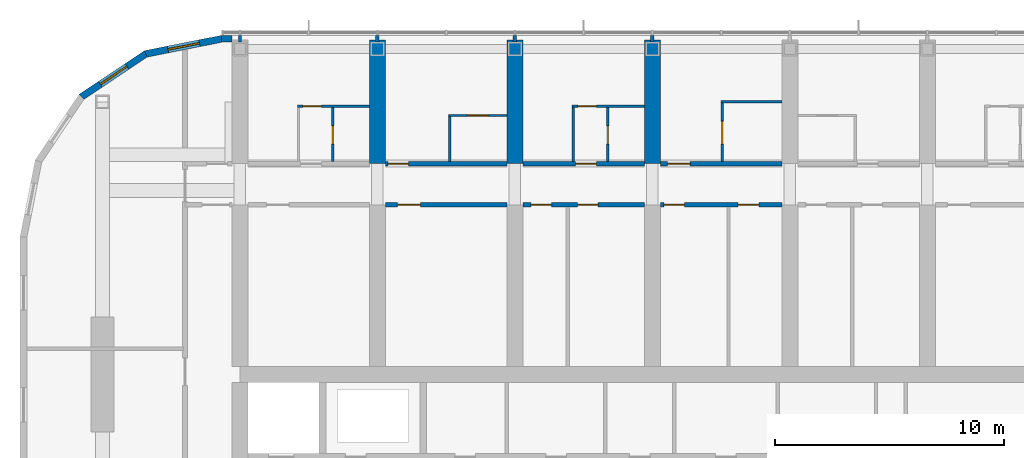
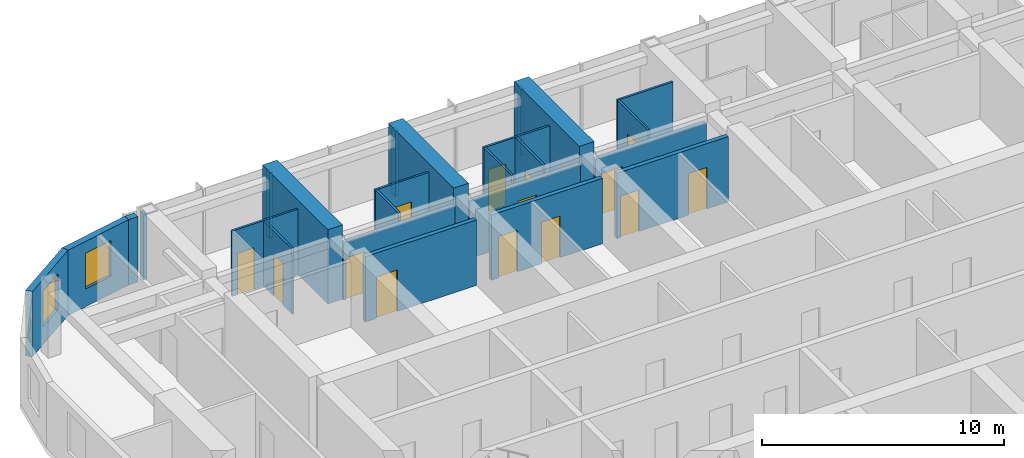
# One storey, part 16 of 23: 25 walls, 14 doors, 2 windows, 16 openings.
"""IFC4 building model written with IfcOpenShell, lengths in metres."""

from ifc_helpers import new_model, si_unit, direction, frame, frame_2d, origin, place, context, subcontext, project, spatial, polyline, rectangle, outline, extrude, material, layer, layer_set, type_object, element, fill, save


model = new_model("IFC4")

# Units and contexts
model_context = context("Model", 3, precision=1e-05, world=origin(), true_north=direction((0.0, 1.0)))
body_context = subcontext(model_context, "Body", "Model", "MODEL_VIEW")
ifc_project = project(units=[si_unit("LENGTHUNIT", "METRE"), si_unit("AREAUNIT", "SQUARE_METRE"), si_unit("VOLUMEUNIT", "CUBIC_METRE"), si_unit("PLANEANGLEUNIT", "RADIAN"), si_unit("MASSUNIT", "GRAM", prefix="KILO")], contexts=[model_context])

# Site, building, storey
site_placement = place(None, origin())
site = spatial("IfcSite", under=ifc_project, at=site_placement, CompositionType="ELEMENT")
building_placement = place(site_placement, origin())
building = spatial("IfcBuilding", under=site, at=building_placement, Name="Orbita Commons", CompositionType="ELEMENT")
storey_placement = place(building_placement, frame((0.0, 0.0, 227.800048828125)))
storey = spatial("IfcBuildingStorey", under=building, at=storey_placement, Name="L56", CompositionType="ELEMENT", Elevation=227.800048828125)

# Wall, opening, door
ifc_material_1 = material(Name="Concrete blockwork", Category="masonry")
ifc_layer_1 = layer(ifc_material_1, 0.199951171875)
ifc_layer_set_1 = layer_set([ifc_layer_1], Name="Concrete blockwork")
wall_type_1 = type_object("IfcWallType", Name="Corridor wall 200 blockwork", PredefinedType="SOLIDWALL", material=ifc_layer_set_1)
wall_1_placement = place(storey_placement, frame((24.35009765625, 47.39990234375, 0.0), z_axis=(0.0, 0.0, 1.0), x_axis=(1.0, 0.0, 0.0)))
wall_1 = element("IfcWall", 1, at=wall_1_placement, inside=storey, type_object=wall_type_1, Name="Corridor wall 200 blockwork L56", PredefinedType="SOLIDWALL", context=body_context, shape_type="SweptSolid", body=[
    extrude(outline(polyline([(0.0, 0.0), (5.2998046875, 0.0), (5.300048828125, 2.89990234375), (0.0, 2.89990234375), (0.0, 0.0)])), frame((0.0, 0.10009765625, 0.0), z_axis=(0.0, -1.0, 0.0), x_axis=(1.0, 0.0, 0.0)), (0.0, 0.0, 1.0), 0.199951171875),
])
opening_1_placement = place(wall_1_placement, frame((0.10009765625, 0.0, 0.0)))
opening_1 = element("IfcOpeningElement", 2, at=opening_1_placement, cuts=wall_1, Name="Opening D11", PredefinedType="OPENING", context=body_context, shape_type="SweptSolid", body=[
    extrude(rectangle(XDim=0.89990234375, YDim=2.10009765625, at=frame_2d((0.449951171875, 1.050048828125))), frame((0.0, 0.10986328125, 0.0), z_axis=(0.0, -1.0, 0.0), x_axis=(1.0, 0.0, 0.0)), (0.0, 0.0, 1.0), 0.219970703125),
])
ifc_material_2 = material(Name="Steel-faced fire door leaf", Category="steel")
door_type_1 = type_object("IfcDoorType", Name="Corridor door 20 min 900x2100", OperationType="SINGLE_SWING_LEFT", PredefinedType="DOOR", material=ifc_material_2)
door_1_placement = place(opening_1_placement, origin())
door_1 = element("IfcDoor", 3, at=door_1_placement, inside=storey, type_object=door_type_1, Name="Studio apartment with kitchenette L56-N02 door", OperationType="SINGLE_SWING_LEFT", OverallHeight=2.10009765625, OverallWidth=0.89990234375, PredefinedType="DOOR", context=body_context, shape_type="SweptSolid", body=[
    extrude(rectangle(XDim=0.89990234375, YDim=2.10009765625, at=frame_2d((0.449951171875, 1.050048828125))), frame((0.0, 0.02490234375, 0.0), z_axis=(0.0, -1.0, 0.0), x_axis=(1.0, 0.0, 0.0)), (0.0, 0.0, 1.0), 0.050048828125),
])
fill(opening_1, door_1)

wall_2_placement = place(storey_placement, frame((30.35009765625, 47.39990234375, 0.0), z_axis=(0.0, 0.0, 1.0), x_axis=(1.0, 0.0, 0.0)))
wall_2 = element("IfcWall", 4, at=wall_2_placement, inside=storey, type_object=wall_type_1, Name="Corridor wall 200 blockwork L56", PredefinedType="SOLIDWALL", context=body_context, shape_type="SweptSolid", body=[
    extrude(outline(polyline([(0.0, 0.0), (5.2998046875, 0.0), (5.300048828125, 2.89990234375), (0.0, 2.89990234375), (0.0, 0.0)])), frame((0.0, 0.10009765625, 0.0), z_axis=(0.0, -1.0, 0.0), x_axis=(1.0, 0.0, 0.0)), (0.0, 0.0, 1.0), 0.199951171875),
])
opening_2_placement = place(wall_2_placement, frame((2.300048828125, 0.0, 0.0)))
opening_2 = element("IfcOpeningElement", 5, at=opening_2_placement, cuts=wall_2, Name="Opening D11", PredefinedType="OPENING", context=body_context, shape_type="SweptSolid", body=[
    extrude(rectangle(XDim=0.89990234375, YDim=2.10009765625, at=frame_2d((0.449951171875, 1.050048828125))), frame((0.0, 0.10986328125, 0.0), z_axis=(0.0, -1.0, 0.0), x_axis=(1.0, 0.0, 0.0)), (0.0, 0.0, 1.0), 0.219970703125),
])
door_2_placement = place(opening_2_placement, origin())
door_2 = element("IfcDoor", 6, at=door_2_placement, inside=storey, type_object=door_type_1, Name="Studio flat L56-N04 entrance door", OperationType="SINGLE_SWING_LEFT", OverallHeight=2.10009765625, OverallWidth=0.89990234375, PredefinedType="DOOR", context=body_context, shape_type="SweptSolid", body=[
    extrude(rectangle(XDim=0.89990234375, YDim=2.10009765625, at=frame_2d((0.449951171875, 1.050048828125))), frame((0.0, 0.02490234375, 0.0), z_axis=(0.0, -1.0, 0.0), x_axis=(1.0, 0.0, 0.0)), (0.0, 0.0, 1.0), 0.050048828125),
])
fill(opening_2, door_2)

wall_3_placement = place(storey_placement, frame((36.35009765625, 47.39990234375, 0.0), z_axis=(0.0, 0.0, 1.0), x_axis=(1.0, 0.0, 0.0)))
wall_3 = element("IfcWall", 7, at=wall_3_placement, inside=storey, type_object=wall_type_1, Name="Corridor wall 200 blockwork L56", PredefinedType="SOLIDWALL", context=body_context, shape_type="SweptSolid", body=[
    extrude(outline(polyline([(0.0, 0.0), (5.2998046875, 0.0), (5.300048828125, 2.89990234375), (0.0, 2.89990234375), (0.0, 0.0)])), frame((0.0, 0.10009765625, 0.0), z_axis=(0.0, -1.0, 0.0), x_axis=(1.0, 0.0, 0.0)), (0.0, 0.0, 1.0), 0.199951171875),
])
opening_3_placement = place(wall_3_placement, frame((0.300048828125, 0.0, 0.0)))
opening_3 = element("IfcOpeningElement", 8, at=opening_3_placement, cuts=wall_3, Name="Opening D06", PredefinedType="OPENING", context=body_context, shape_type="SweptSolid", body=[
    extrude(rectangle(XDim=1.0, YDim=2.10009765625, at=frame_2d((0.5, 1.050048828125))), frame((0.0, 0.10986328125, 0.0), z_axis=(0.0, -1.0, 0.0), x_axis=(1.0, 0.0, 0.0)), (0.0, 0.0, 1.0), 0.219970703125),
])
ifc_material_3 = material(Name="Steel-faced fire door leaf", Category="steel")
door_type_2 = type_object("IfcDoorType", Name="Corridor door 20 min 1000x2100", OperationType="SINGLE_SWING_LEFT", PredefinedType="DOOR", material=ifc_material_3)
door_3_placement = place(opening_3_placement, origin())
door_3 = element("IfcDoor", 9, at=door_3_placement, inside=storey, type_object=door_type_2, Name="Accessible bedroom L56-N06 door", OperationType="SINGLE_SWING_LEFT", OverallHeight=2.10009765625, OverallWidth=1.0, PredefinedType="DOOR", context=body_context, shape_type="SweptSolid", body=[
    extrude(rectangle(XDim=1.0, YDim=2.10009765625, at=frame_2d((0.5, 1.050048828125))), frame((0.0, 0.02490234375, 0.0), z_axis=(0.0, -1.0, 0.0), x_axis=(1.0, 0.0, 0.0)), (0.0, 0.0, 1.0), 0.050048828125),
])
fill(opening_3, door_3)

ifc_material_4 = material(Name="Hollow concrete block 200", Category="concrete")
ifc_layer_2 = layer(ifc_material_4, 0.199951171875)
ifc_layer_set_2 = layer_set([ifc_layer_2], Name="Hollow concrete block 200")
wall_type_2 = type_object("IfcWallType", Name="Corridor wall 200 hollow concrete block", PredefinedType="SOLIDWALL", material=ifc_layer_set_2)
wall_4_placement = place(storey_placement, frame((24.35009765625, 45.60009765625, 0.0), z_axis=(0.0, 0.0, 1.0), x_axis=(1.0, 0.0, 0.0)))
wall_4 = element("IfcWall", 10, at=wall_4_placement, inside=storey, type_object=wall_type_2, Name="Corridor wall 200 hollow concrete block L56", PredefinedType="SOLIDWALL", context=body_context, shape_type="SweptSolid", body=[
    extrude(rectangle(XDim=5.2998046875, YDim=0.199951171875, at=frame_2d((2.64990234375, 0.0))), origin(), (0.0, 0.0, 1.0), 3.300048828125),
])
opening_4_placement = place(wall_4_placement, frame((0.52490234375, 0.0, 0.0)))
opening_4 = element("IfcOpeningElement", 11, at=opening_4_placement, cuts=wall_4, Name="Opening D06", PredefinedType="OPENING", context=body_context, shape_type="SweptSolid", body=[
    extrude(rectangle(XDim=1.0, YDim=2.10009765625, at=frame_2d((0.5, 1.050048828125))), frame((0.0, 0.10986328125, 0.0), z_axis=(0.0, -1.0, 0.0), x_axis=(1.0, 0.0, 0.0)), (0.0, 0.0, 1.0), 0.219970703125),
])
door_4_placement = place(opening_4_placement, origin())
door_4 = element("IfcDoor", 12, at=door_4_placement, inside=storey, type_object=door_type_2, Name="Storage lockers L56-BDN24 door", OperationType="SINGLE_SWING_LEFT", OverallHeight=2.10009765625, OverallWidth=1.0, PredefinedType="DOOR", context=body_context, shape_type="SweptSolid", body=[
    extrude(rectangle(XDim=1.0, YDim=2.10009765625, at=frame_2d((0.5, 1.050048828125))), frame((0.0, 0.02490234375, 0.0), z_axis=(0.0, -1.0, 0.0), x_axis=(1.0, 0.0, 0.0)), (0.0, 0.0, 1.0), 0.050048828125),
])
fill(opening_4, door_4)

# Wall, openings, doors
wall_5_placement = place(storey_placement, frame((30.35009765625, 45.60009765625, 0.0), z_axis=(0.0, 0.0, 1.0), x_axis=(1.0, 0.0, 0.0)))
wall_5 = element("IfcWall", 13, at=wall_5_placement, inside=storey, type_object=wall_type_2, Name="Corridor wall 200 hollow concrete block L56", PredefinedType="SOLIDWALL", context=body_context, shape_type="SweptSolid", body=[
    extrude(rectangle(XDim=5.2998046875, YDim=0.199951171875, at=frame_2d((2.64990234375, 0.0))), origin(), (0.0, 0.0, 1.0), 3.300048828125),
])
opening_5_placement = place(wall_5_placement, frame((0.35009765625, 0.0, 0.0)))
opening_5 = element("IfcOpeningElement", 14, at=opening_5_placement, cuts=wall_5, Name="Opening D11", PredefinedType="OPENING", context=body_context, shape_type="SweptSolid", body=[
    extrude(rectangle(XDim=0.89990234375, YDim=2.10009765625, at=frame_2d((0.449951171875, 1.050048828125))), frame((0.0, 0.10986328125, 0.0), z_axis=(0.0, -1.0, 0.0), x_axis=(1.0, 0.0, 0.0)), (0.0, 0.0, 1.0), 0.219970703125),
])
opening_6_placement = place(wall_5_placement, frame((2.385009765625, 0.0, 0.0)))
opening_6 = element("IfcOpeningElement", 15, at=opening_6_placement, cuts=wall_5, Name="Opening D11", PredefinedType="OPENING", context=body_context, shape_type="SweptSolid", body=[
    extrude(rectangle(XDim=0.89990234375, YDim=2.10009765625, at=frame_2d((0.449951171875, 1.050048828125))), frame((0.0, 0.10986328125, 0.0), z_axis=(0.0, -1.0, 0.0), x_axis=(1.0, 0.0, 0.0)), (0.0, 0.0, 1.0), 0.219970703125),
])
door_5_placement = place(opening_5_placement, origin())
door_5 = element("IfcDoor", 16, at=door_5_placement, inside=storey, type_object=door_type_1, Name="Luggage store L56-BDN30n door", OperationType="SINGLE_SWING_LEFT", OverallHeight=2.10009765625, OverallWidth=0.89990234375, PredefinedType="DOOR", context=body_context, shape_type="SweptSolid", body=[
    extrude(rectangle(XDim=0.89990234375, YDim=2.10009765625, at=frame_2d((0.449951171875, 1.050048828125))), frame((0.0, 0.02490234375, 0.0), z_axis=(0.0, -1.0, 0.0), x_axis=(1.0, 0.0, 0.0)), (0.0, 0.0, 1.0), 0.050048828125),
])
fill(opening_5, door_5)
door_6_placement = place(opening_6_placement, origin())
door_6 = element("IfcDoor", 17, at=door_6_placement, inside=storey, type_object=door_type_1, Name="Refuse and recycling room L56-BDN30 door", OperationType="SINGLE_SWING_LEFT", OverallHeight=2.10009765625, OverallWidth=0.89990234375, PredefinedType="DOOR", context=body_context, shape_type="SweptSolid", body=[
    extrude(rectangle(XDim=0.89990234375, YDim=2.10009765625, at=frame_2d((0.449951171875, 1.050048828125))), frame((0.0, 0.02490234375, 0.0), z_axis=(0.0, -1.0, 0.0), x_axis=(1.0, 0.0, 0.0)), (0.0, 0.0, 1.0), 0.050048828125),
])
fill(opening_6, door_6)

wall_6_placement = place(storey_placement, frame((36.35009765625, 45.60009765625, 0.0), z_axis=(0.0, 0.0, 1.0), x_axis=(1.0, 0.0, 0.0)))
wall_6 = element("IfcWall", 18, at=wall_6_placement, inside=storey, type_object=wall_type_2, Name="Corridor wall 200 hollow concrete block L56", PredefinedType="SOLIDWALL", context=body_context, shape_type="SweptSolid", body=[
    extrude(rectangle(XDim=5.2998046875, YDim=0.199951171875, at=frame_2d((2.64990234375, 0.0))), origin(), (0.0, 0.0, 1.0), 3.300048828125),
])
opening_7_placement = place(wall_6_placement, frame((0.14990234375, 0.0, 0.0)))
opening_7 = element("IfcOpeningElement", 19, at=opening_7_placement, cuts=wall_6, Name="Opening D11", PredefinedType="OPENING", context=body_context, shape_type="SweptSolid", body=[
    extrude(rectangle(XDim=0.89990234375, YDim=2.10009765625, at=frame_2d((0.449951171875, 1.050048828125))), frame((0.0, 0.10986328125, 0.0), z_axis=(0.0, -1.0, 0.0), x_axis=(1.0, 0.0, 0.0)), (0.0, 0.0, 1.0), 0.219970703125),
])
opening_8_placement = place(wall_6_placement, frame((3.39501953125, 0.0, 0.0)))
opening_8 = element("IfcOpeningElement", 20, at=opening_8_placement, cuts=wall_6, Name="Opening D11", PredefinedType="OPENING", context=body_context, shape_type="SweptSolid", body=[
    extrude(rectangle(XDim=0.89990234375, YDim=2.10009765625, at=frame_2d((0.449951171875, 1.050048828125))), frame((0.0, 0.10986328125, 0.0), z_axis=(0.0, -1.0, 0.0), x_axis=(1.0, 0.0, 0.0)), (0.0, 0.0, 1.0), 0.219970703125),
])
door_7_placement = place(opening_7_placement, origin())
door_7 = element("IfcDoor", 21, at=door_7_placement, inside=storey, type_object=door_type_1, Name="Bulk storage room L56-BDN36 door", OperationType="SINGLE_SWING_LEFT", OverallHeight=2.10009765625, OverallWidth=0.89990234375, PredefinedType="DOOR", context=body_context, shape_type="SweptSolid", body=[
    extrude(rectangle(XDim=0.89990234375, YDim=2.10009765625, at=frame_2d((0.449951171875, 1.050048828125))), frame((0.0, 0.02490234375, 0.0), z_axis=(0.0, -1.0, 0.0), x_axis=(1.0, 0.0, 0.0)), (0.0, 0.0, 1.0), 0.050048828125),
])
fill(opening_7, door_7)
door_8_placement = place(opening_8_placement, origin())
door_8 = element("IfcDoor", 22, at=door_8_placement, inside=storey, type_object=door_type_1, Name="Battery and UPS room L56-BDN36n door", OperationType="SINGLE_SWING_LEFT", OverallHeight=2.10009765625, OverallWidth=0.89990234375, PredefinedType="DOOR", context=body_context, shape_type="SweptSolid", body=[
    extrude(rectangle(XDim=0.89990234375, YDim=2.10009765625, at=frame_2d((0.449951171875, 1.050048828125))), frame((0.0, 0.02490234375, 0.0), z_axis=(0.0, -1.0, 0.0), x_axis=(1.0, 0.0, 0.0)), (0.0, 0.0, 1.0), 0.050048828125),
])
fill(opening_8, door_8)

# Walls
ifc_material_5 = material(Name="Concrete C50/60", Category="concrete")
ifc_layer_3 = layer(ifc_material_5, 0.699951171875)
ifc_layer_set_3 = layer_set([ifc_layer_3], Name="Concrete C50/60")
wall_type_3 = type_object("IfcWallType", Name="Cross wall 700 C50/60", PredefinedType="SHEAR", material=ifc_layer_set_3)
for number, where, z_axis, x_axis, name in (
    (23, (24.0, 47.39990234375, 0.0), (0.0, 0.0, 1.0), (0.0, 1.0, 0.0), "Cross wall 5 north outer L56"),
    (24, (30.0, 47.39990234375, 0.0), (0.0, 0.0, 1.0), (0.0, 1.0, 0.0), "Cross wall 6 north outer L56"),
    (25, (36.0, 47.39990234375, 0.0), (0.0, 0.0, 1.0), (0.0, 1.0, 0.0), "Cross wall 7 north outer L56"),
):
    element("IfcWall", number, at=place(storey_placement, frame(where, z_axis=z_axis, x_axis=x_axis)), inside=storey, type_object=wall_type_3, Name=name, PredefinedType="SHEAR", context=body_context, shape_type="SweptSolid", body=[
        extrude(rectangle(XDim=5.400146484375, YDim=0.699951171875, at=frame_2d((2.7001953125, 0.0))), origin(), (0.0, 0.0, 1.0), 3.75),
    ])

# Wall, opening, door
ifc_material_6 = material(Name="Moisture-resistant plasterboard on steel studs", Category="steel")
ifc_layer_4 = layer(ifc_material_6, 0.10009765625)
ifc_layer_set_4 = layer_set([ifc_layer_4], Name="Moisture-resistant plasterboard on steel studs")
wall_type_4 = type_object("IfcWallType", Name="En-suite partition 100", PredefinedType="PARTITIONING", material=ifc_layer_set_4)
wall_7_placement = place(storey_placement, frame((20.5, 49.89990234375, 0.0), z_axis=(0.0, 0.0, 1.0), x_axis=(1.0, 0.0, 0.0)))
wall_7 = element("IfcWall", 26, at=wall_7_placement, inside=storey, type_object=wall_type_4, Name="En-suite partition 100 L56", PredefinedType="PARTITIONING", context=body_context, shape_type="SweptSolid", body=[
    extrude(rectangle(XDim=3.14990234375, YDim=0.10009765625, at=frame_2d((1.574951171875, 0.0))), origin(), (0.0, 0.0, 1.0), 3.300048828125),
])
opening_9_placement = place(wall_7_placement, frame((0.25, 0.0, 0.0)))
opening_9 = element("IfcOpeningElement", 27, at=opening_9_placement, cuts=wall_7, Name="Opening D16", PredefinedType="OPENING", context=body_context, shape_type="SweptSolid", body=[
    extrude(rectangle(XDim=0.800048828125, YDim=2.10009765625, at=frame_2d((0.39990234375, 1.050048828125))), frame((0.0, 0.06005859375, 0.0), z_axis=(0.0, -1.0, 0.0), x_axis=(1.0, 0.0, 0.0)), (0.0, 0.0, 1.0), 0.1201171875),
])
ifc_material_7 = material(Name="Laminated timber door leaf", Category="wood")
door_type_3 = type_object("IfcDoorType", Name="En-suite door 800x2100", OperationType="SINGLE_SWING_RIGHT", PredefinedType="DOOR", material=ifc_material_7)
door_9_placement = place(opening_9_placement, origin())
door_9 = element("IfcDoor", 28, at=door_9_placement, inside=storey, type_object=door_type_3, Name="Studio flat L56-N00 door", OperationType="SINGLE_SWING_RIGHT", OverallHeight=2.10009765625, OverallWidth=0.800048828125, PredefinedType="DOOR", context=body_context, shape_type="SweptSolid", body=[
    extrude(rectangle(XDim=0.800048828125, YDim=2.10009765625, at=frame_2d((0.39990234375, 1.050048828125))), frame((0.0, 0.02490234375, 0.0), z_axis=(0.0, -1.0, 0.0), x_axis=(1.0, 0.0, 0.0)), (0.0, 0.0, 1.0), 0.050048828125),
])
fill(opening_9, door_9)

wall_8_placement = place(storey_placement, frame((22.050048828125, 49.85009765625, 0.0), z_axis=(0.0, 0.0, 1.0), x_axis=(0.0, -1.0, 0.0)))
wall_8 = element("IfcWall", 29, at=wall_8_placement, inside=storey, type_object=wall_type_4, Name="En-suite partition 100 L56", PredefinedType="PARTITIONING", context=body_context, shape_type="SweptSolid", body=[
    extrude(outline(polyline([(0.0, 0.0), (2.35009765625, 0.0), (2.35009765625, 2.89990234375), (2.302001953125, 2.89990234375), (2.300048828125, 3.300048828125), (0.0, 3.300048828125), (0.0, 0.0)])), frame((0.0, 0.050048828125, 0.0), z_axis=(0.0, -1.0, 0.0), x_axis=(1.0, 0.0, 0.0)), (0.0, 0.0, 1.0), 0.10009765625),
])
opening_10_placement = place(wall_8_placement, frame((0.800048828125, 0.0, 0.0)))
opening_10 = element("IfcOpeningElement", 30, at=opening_10_placement, cuts=wall_8, Name="Opening D16", PredefinedType="OPENING", context=body_context, shape_type="SweptSolid", body=[
    extrude(rectangle(XDim=0.800048828125, YDim=2.10009765625, at=frame_2d((0.39990234375, 1.050048828125))), frame((0.0, 0.06005859375, 0.0), z_axis=(0.0, -1.0, 0.0), x_axis=(1.0, 0.0, 0.0)), (0.0, 0.0, 1.0), 0.1201171875),
])
door_10_placement = place(opening_10_placement, origin())
door_10 = element("IfcDoor", 31, at=door_10_placement, inside=storey, type_object=door_type_3, Name="Studio flat shower room L56-N00 door", OperationType="SINGLE_SWING_RIGHT", OverallHeight=2.10009765625, OverallWidth=0.800048828125, PredefinedType="DOOR", context=body_context, shape_type="SweptSolid", body=[
    extrude(rectangle(XDim=0.800048828125, YDim=2.10009765625, at=frame_2d((0.39990234375, 1.050048828125))), frame((0.0, 0.02490234375, 0.0), z_axis=(0.0, -1.0, 0.0), x_axis=(1.0, 0.0, 0.0)), (0.0, 0.0, 1.0), 0.050048828125),
])
fill(opening_10, door_10)

wall_9_placement = place(storey_placement, frame((27.10009765625, 49.5, 0.0), z_axis=(0.0, 0.0, 1.0), x_axis=(1.0, 0.0, 0.0)))
wall_9 = element("IfcWall", 32, at=wall_9_placement, inside=storey, type_object=wall_type_4, Name="En-suite partition 100 L56", PredefinedType="PARTITIONING", context=body_context, shape_type="SweptSolid", body=[
    extrude(rectangle(XDim=2.5498046875, YDim=0.10009765625, at=frame_2d((1.27490234375, 0.0))), origin(), (0.0, 0.0, 1.0), 3.300048828125),
])
opening_11_placement = place(wall_9_placement, frame((0.824951171875, 0.0, 0.0)))
opening_11 = element("IfcOpeningElement", 33, at=opening_11_placement, cuts=wall_9, Name="Opening D09", PredefinedType="OPENING", context=body_context, shape_type="SweptSolid", body=[
    extrude(rectangle(XDim=0.89990234375, YDim=2.10009765625, at=frame_2d((0.449951171875, 1.050048828125))), frame((0.0, 0.06005859375, 0.0), z_axis=(0.0, -1.0, 0.0), x_axis=(1.0, 0.0, 0.0)), (0.0, 0.0, 1.0), 0.1201171875),
])
ifc_material_8 = material(Name="Laminated timber door leaf", Category="wood")
door_type_4 = type_object("IfcDoorType", Name="En-suite door 900x2100", OperationType="SINGLE_SWING_RIGHT", PredefinedType="DOOR", material=ifc_material_8)
door_11_placement = place(opening_11_placement, origin())
door_11 = element("IfcDoor", 34, at=door_11_placement, inside=storey, type_object=door_type_4, Name="En-suite L56-N02 door", OperationType="SINGLE_SWING_RIGHT", OverallHeight=2.10009765625, OverallWidth=0.89990234375, PredefinedType="DOOR", context=body_context, shape_type="SweptSolid", body=[
    extrude(rectangle(XDim=0.89990234375, YDim=2.10009765625, at=frame_2d((0.449951171875, 1.050048828125))), frame((0.0, 0.02490234375, 0.0), z_axis=(0.0, -1.0, 0.0), x_axis=(1.0, 0.0, 0.0)), (0.0, 0.0, 1.0), 0.050048828125),
])
fill(opening_11, door_11)

# Wall
wall_10_placement = place(storey_placement, frame((27.14990234375, 49.449951171875, 0.0), z_axis=(0.0, 0.0, 1.0), x_axis=(0.0, -1.0, 0.0)))
element("IfcWall", 35, at=wall_10_placement, inside=storey, type_object=wall_type_4, Name="En-suite partition 100 L56", PredefinedType="PARTITIONING", context=body_context, shape_type="SweptSolid", body=[
    extrude(outline(polyline([(0.0, 0.0), (1.949951171875, 0.0), (1.949951171875, 2.89990234375), (1.902099609375, 2.89990234375), (1.89990234375, 3.300048828125), (0.0, 3.300048828125), (0.0, 0.0)])), frame((0.0, 0.050048828125, 0.0), z_axis=(0.0, -1.0, 0.0), x_axis=(1.0, 0.0, 0.0)), (0.0, 0.0, 1.0), 0.10009765625),
])

# Wall, opening, door
wall_11_placement = place(storey_placement, frame((32.5, 49.89990234375, 0.0), z_axis=(0.0, 0.0, 1.0), x_axis=(1.0, 0.0, 0.0)))
wall_11 = element("IfcWall", 36, at=wall_11_placement, inside=storey, type_object=wall_type_4, Name="En-suite partition 100 L56", PredefinedType="PARTITIONING", context=body_context, shape_type="SweptSolid", body=[
    extrude(rectangle(XDim=3.14990234375, YDim=0.10009765625, at=frame_2d((1.574951171875, 0.0))), origin(), (0.0, 0.0, 1.0), 3.300048828125),
])
opening_12_placement = place(wall_11_placement, frame((0.25, 0.0, 0.0)))
opening_12 = element("IfcOpeningElement", 37, at=opening_12_placement, cuts=wall_11, Name="Opening D16", PredefinedType="OPENING", context=body_context, shape_type="SweptSolid", body=[
    extrude(rectangle(XDim=0.800048828125, YDim=2.10009765625, at=frame_2d((0.39990234375, 1.050048828125))), frame((0.0, 0.06005859375, 0.0), z_axis=(0.0, -1.0, 0.0), x_axis=(1.0, 0.0, 0.0)), (0.0, 0.0, 1.0), 0.1201171875),
])
door_12_placement = place(opening_12_placement, origin())
door_12 = element("IfcDoor", 38, at=door_12_placement, inside=storey, type_object=door_type_3, Name="Studio flat L56-N04 door", OperationType="SINGLE_SWING_RIGHT", OverallHeight=2.10009765625, OverallWidth=0.800048828125, PredefinedType="DOOR", context=body_context, shape_type="SweptSolid", body=[
    extrude(rectangle(XDim=0.800048828125, YDim=2.10009765625, at=frame_2d((0.39990234375, 1.050048828125))), frame((0.0, 0.02490234375, 0.0), z_axis=(0.0, -1.0, 0.0), x_axis=(1.0, 0.0, 0.0)), (0.0, 0.0, 1.0), 0.050048828125),
])
fill(opening_12, door_12)

# Wall
wall_12_placement = place(storey_placement, frame((32.550048828125, 49.85009765625, 0.0), z_axis=(0.0, 0.0, 1.0), x_axis=(0.0, -1.0, 0.0)))
element("IfcWall", 39, at=wall_12_placement, inside=storey, type_object=wall_type_4, Name="En-suite partition 100 L56", PredefinedType="PARTITIONING", context=body_context, shape_type="SweptSolid", body=[
    extrude(outline(polyline([(0.0, 0.0), (2.35009765625, 0.0), (2.35009765625, 2.89990234375), (2.302001953125, 2.89990234375), (2.300048828125, 3.300048828125), (0.0, 3.300048828125), (0.0, 0.0)])), frame((0.0, 0.050048828125, 0.0), z_axis=(0.0, -1.0, 0.0), x_axis=(1.0, 0.0, 0.0)), (0.0, 0.0, 1.0), 0.10009765625),
])

# Wall, opening, door
wall_13_placement = place(storey_placement, frame((34.050048828125, 49.85009765625, 0.0), z_axis=(0.0, 0.0, 1.0), x_axis=(0.0, -1.0, 0.0)))
wall_13 = element("IfcWall", 40, at=wall_13_placement, inside=storey, type_object=wall_type_4, Name="En-suite partition 100 L56", PredefinedType="PARTITIONING", context=body_context, shape_type="SweptSolid", body=[
    extrude(outline(polyline([(0.0, 0.0), (2.35009765625, 0.0), (2.35009765625, 2.89990234375), (2.302001953125, 2.89990234375), (2.300048828125, 3.300048828125), (0.0, 3.300048828125), (0.0, 0.0)])), frame((0.0, 0.050048828125, 0.0), z_axis=(0.0, -1.0, 0.0), x_axis=(1.0, 0.0, 0.0)), (0.0, 0.0, 1.0), 0.10009765625),
])
opening_13_placement = place(wall_13_placement, frame((0.800048828125, 0.0, 0.0)))
opening_13 = element("IfcOpeningElement", 41, at=opening_13_placement, cuts=wall_13, Name="Opening D16", PredefinedType="OPENING", context=body_context, shape_type="SweptSolid", body=[
    extrude(rectangle(XDim=0.800048828125, YDim=2.10009765625, at=frame_2d((0.39990234375, 1.050048828125))), frame((0.0, 0.06005859375, 0.0), z_axis=(0.0, -1.0, 0.0), x_axis=(1.0, 0.0, 0.0)), (0.0, 0.0, 1.0), 0.1201171875),
])
door_13_placement = place(opening_13_placement, origin())
door_13 = element("IfcDoor", 42, at=door_13_placement, inside=storey, type_object=door_type_3, Name="Studio flat shower room L56-N04 door", OperationType="SINGLE_SWING_RIGHT", OverallHeight=2.10009765625, OverallWidth=0.800048828125, PredefinedType="DOOR", context=body_context, shape_type="SweptSolid", body=[
    extrude(rectangle(XDim=0.800048828125, YDim=2.10009765625, at=frame_2d((0.39990234375, 1.050048828125))), frame((0.0, 0.02490234375, 0.0), z_axis=(0.0, -1.0, 0.0), x_axis=(1.0, 0.0, 0.0)), (0.0, 0.0, 1.0), 0.050048828125),
])
fill(opening_13, door_13)

# Wall
wall_14_placement = place(storey_placement, frame((39.0, 50.10009765625, 0.0), z_axis=(0.0, 0.0, 1.0), x_axis=(1.0, 0.0, 0.0)))
element("IfcWall", 43, at=wall_14_placement, inside=storey, type_object=wall_type_4, Name="En-suite partition 100 L56", PredefinedType="PARTITIONING", context=body_context, shape_type="SweptSolid", body=[
    extrude(rectangle(XDim=2.64990234375, YDim=0.10009765625, at=frame_2d((1.324951171875, 0.0))), origin(), (0.0, 0.0, 1.0), 3.300048828125),
])

# Wall, opening, door
wall_15_placement = place(storey_placement, frame((39.050048828125, 50.050048828125, 0.0), z_axis=(0.0, 0.0, 1.0), x_axis=(0.0, -1.0, 0.0)))
wall_15 = element("IfcWall", 44, at=wall_15_placement, inside=storey, type_object=wall_type_4, Name="En-suite partition 100 L56", PredefinedType="PARTITIONING", context=body_context, shape_type="SweptSolid", body=[
    extrude(outline(polyline([(0.0, 0.0), (2.550048828125, 0.0), (2.550048828125, 2.89990234375), (2.501953125, 2.89990234375), (2.5, 3.300048828125), (0.0, 3.300048828125), (0.0, 0.0)])), frame((0.0, 0.050048828125, 0.0), z_axis=(0.0, -1.0, 0.0), x_axis=(1.0, 0.0, 0.0)), (0.0, 0.0, 1.0), 0.10009765625),
])
opening_14_placement = place(wall_15_placement, frame((0.800048828125, 0.0, 0.0)))
opening_14 = element("IfcOpeningElement", 45, at=opening_14_placement, cuts=wall_15, Name="Opening D13", PredefinedType="OPENING", context=body_context, shape_type="SweptSolid", body=[
    extrude(rectangle(XDim=1.0, YDim=2.10009765625, at=frame_2d((0.5, 1.050048828125))), frame((0.0, 0.06005859375, 0.0), z_axis=(0.0, -1.0, 0.0), x_axis=(1.0, 0.0, 0.0)), (0.0, 0.0, 1.0), 0.1201171875),
])
ifc_material_9 = material(Name="Laminated timber door leaf", Category="wood")
door_type_5 = type_object("IfcDoorType", Name="En-suite door 1000x2100", OperationType="SINGLE_SWING_RIGHT", PredefinedType="DOOR", material=ifc_material_9)
door_14_placement = place(opening_14_placement, origin())
door_14 = element("IfcDoor", 46, at=door_14_placement, inside=storey, type_object=door_type_5, Name="Accessible shower room L56-N06 door", OperationType="SINGLE_SWING_RIGHT", OverallHeight=2.10009765625, OverallWidth=1.0, PredefinedType="DOOR", context=body_context, shape_type="SweptSolid", body=[
    extrude(rectangle(XDim=1.0, YDim=2.10009765625, at=frame_2d((0.5, 1.050048828125))), frame((0.0, 0.02490234375, 0.0), z_axis=(0.0, -1.0, 0.0), x_axis=(1.0, 0.0, 0.0)), (0.0, 0.0, 1.0), 0.050048828125),
])
fill(opening_14, door_14)

# Walls
ifc_material_10 = material(Name="Gypsum plasterboard on steel studs", Category="steel")
ifc_layer_5 = layer(ifc_material_10, 0.14990234375)
ifc_layer_set_5 = layer_set([ifc_layer_5], Name="Gypsum plasterboard on steel studs")
wall_type_5 = type_object("IfcWallType", Name="Partition 150 plasterboard", PredefinedType="PARTITIONING", material=ifc_layer_set_5)
for number, where, z_axis, x_axis, name in (
    (47, (18.0, 52.699951171875, 0.0), (0.0, 0.0, 1.0), (0.0, 1.0, 0.0), "Partition 150 plasterboard L56"),
    (48, (24.0, 52.699951171875, 0.0), (0.0, 0.0, 1.0), (0.0, 1.0, 0.0), "Partition 150 plasterboard L56"),
    (49, (30.0, 52.699951171875, 0.0), (0.0, 0.0, 1.0), (0.0, 1.0, 0.0), "Partition 150 plasterboard L56"),
    (50, (36.0, 52.699951171875, 0.0), (0.0, 0.0, 1.0), (0.0, 1.0, 0.0), "Partition 150 plasterboard L56"),
):
    element("IfcWall", number, at=place(storey_placement, frame(where, z_axis=z_axis, x_axis=x_axis)), inside=storey, type_object=wall_type_5, Name=name, PredefinedType="PARTITIONING", context=body_context, shape_type="SweptSolid", body=[
        extrude(rectangle(XDim=0.2900390625, YDim=0.14990234375, at=frame_2d((0.14501953125, 0.0))), origin(), (0.0, 0.0, 1.0), 3.300048828125),
    ])

# Wall, opening, window
ifc_material_11 = material(Name="Precast concrete C40/50, white board-marked finish", Category="concrete")
ifc_layer_6 = layer(ifc_material_11, 0.300048828125)
ifc_layer_set_6 = layer_set([ifc_layer_6], Name="Precast concrete C40/50, white board-marked finish")
wall_type_6 = type_object("IfcWallType", Name="Precast concrete end shield 300", PredefinedType="SOLIDWALL", material=ifc_layer_set_6)
wall_16_placement = place(storey_placement, frame((17.199951171875, 52.85009765625, 0.0), z_axis=(0.0, 0.0, 1.0), x_axis=(-0.98078325777, -0.195100490205, 0.0)))
wall_16 = element("IfcWall", 51, at=wall_16_placement, inside=storey, type_object=wall_type_6, Name="End shield NW chord 1 L56", PredefinedType="SOLIDWALL", context=body_context, shape_type="SweptSolid", body=[
    extrude(outline(polyline([(-0.02978515625, -0.14990234375), (3.40478515625, -0.14990234375), (3.34521484375, 0.14990234375), (0.02978515625, 0.14990234375), (-0.02978515625, -0.14990234375)])), origin(), (0.0, 0.0, 1.0), 3.300048828125),
])
opening_15_placement = place(wall_16_placement, frame((0.987548828125, 0.0, 0.89990234375)))
opening_15 = element("IfcOpeningElement", 52, at=opening_15_placement, cuts=wall_16, Name="Opening W02", PredefinedType="OPENING", context=body_context, shape_type="SweptSolid", body=[
    extrude(rectangle(XDim=1.39990234375, YDim=1.800048828125, at=frame_2d((0.699951171875, 0.89990234375))), frame((0.0, 0.159912109375, 0.0), z_axis=(0.0, -1.0, 0.0), x_axis=(1.0, 0.0, 0.0)), (0.0, 0.0, 1.0), 0.320068359375),
])
ifc_material_12 = material(Name="Aluminium frame, clear double glazing", Category="aluminium")
window_type = type_object("IfcWindowType", Name="Deep-set window 1400x1800", PartitioningType="SINGLE_PANEL", PredefinedType="WINDOW", material=ifc_material_12)
window_1_placement = place(opening_15_placement, origin())
window_1 = element("IfcWindow", 53, at=window_1_placement, inside=storey, type_object=window_type, Name="Window L56-NW0", OverallHeight=1.800048828125, OverallWidth=1.39990234375, PartitioningType="SINGLE_PANEL", PredefinedType="WINDOW", context=body_context, shape_type="SweptSolid", body=[
    extrude(rectangle(XDim=1.39990234375, YDim=1.800048828125, at=frame_2d((0.699951171875, 0.89990234375))), frame((0.0, 0.030029296875, 0.0), z_axis=(0.0, -1.0, 0.0), x_axis=(1.0, 0.0, 0.0)), (0.0, 0.0, 1.0), 0.06005859375),
])
fill(opening_15, window_1)

wall_17_placement = place(storey_placement, frame((13.889892578125, 52.191650390625, 0.0), z_axis=(0.0, 0.0, 1.0), x_axis=(-0.831460037396, -0.555584562613, 0.0)))
wall_17 = element("IfcWall", 54, at=wall_17_placement, inside=storey, type_object=wall_type_6, Name="End shield NW chord 2 L56", PredefinedType="SOLIDWALL", context=body_context, shape_type="SweptSolid", body=[
    extrude(outline(polyline([(-0.02978515625, -0.14990234375), (3.405029296875, -0.14990234375), (3.345458984375, 0.14990234375), (0.02978515625, 0.14990234375), (-0.02978515625, -0.14990234375)])), origin(), (0.0, 0.0, 1.0), 3.300048828125),
])
opening_16_placement = place(wall_17_placement, frame((0.987548828125, 0.0, 0.89990234375)))
opening_16 = element("IfcOpeningElement", 55, at=opening_16_placement, cuts=wall_17, Name="Opening W02", PredefinedType="OPENING", context=body_context, shape_type="SweptSolid", body=[
    extrude(rectangle(XDim=1.39990234375, YDim=1.800048828125, at=frame_2d((0.699951171875, 0.89990234375))), frame((0.0, 0.159912109375, 0.0), z_axis=(0.0, -1.0, 0.0), x_axis=(1.0, 0.0, 0.0)), (0.0, 0.0, 1.0), 0.320068359375),
])
window_2_placement = place(opening_16_placement, origin())
window_2 = element("IfcWindow", 56, at=window_2_placement, inside=storey, type_object=window_type, Name="Window L56-NW1", OverallHeight=1.800048828125, OverallWidth=1.39990234375, PartitioningType="SINGLE_PANEL", PredefinedType="WINDOW", context=body_context, shape_type="SweptSolid", body=[
    extrude(rectangle(XDim=1.39990234375, YDim=1.800048828125, at=frame_2d((0.699951171875, 0.89990234375))), frame((0.0, 0.030029296875, 0.0), z_axis=(0.0, -1.0, 0.0), x_axis=(1.0, 0.0, 0.0)), (0.0, 0.0, 1.0), 0.06005859375),
])
fill(opening_16, window_2)

# Wall
wall_18_placement = place(storey_placement, frame((17.199951171875, 52.85009765625, 0.0), z_axis=(0.0, 0.0, 1.0), x_axis=(1.0, 0.0, 0.0)))
element("IfcWall", 57, at=wall_18_placement, inside=storey, type_object=wall_type_6, Name="End shield NW closer L56", PredefinedType="SOLIDWALL", context=body_context, shape_type="SweptSolid", body=[
    extrude(rectangle(XDim=0.449951171875, YDim=0.300048828125, at=frame_2d((0.22509765625, 0.0))), origin(), (0.0, 0.0, 1.0), 3.300048828125),
])

save(model, "model.ifc")
